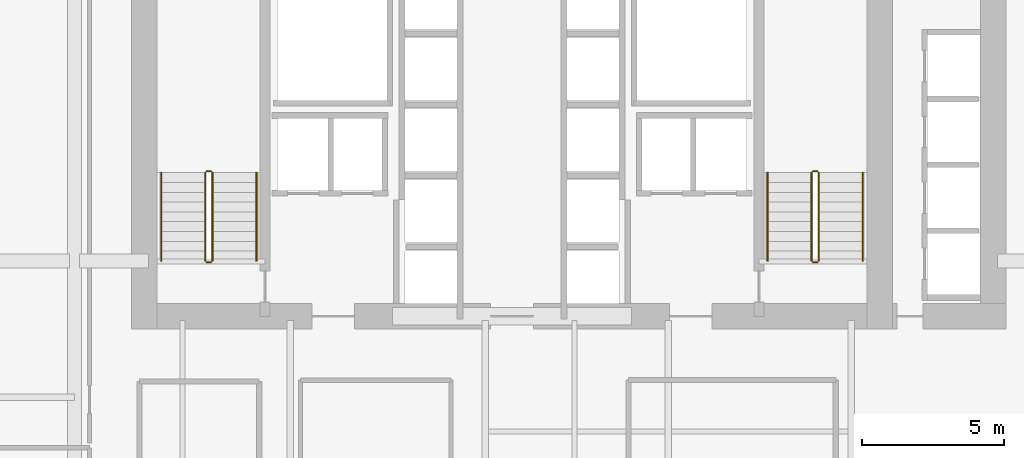
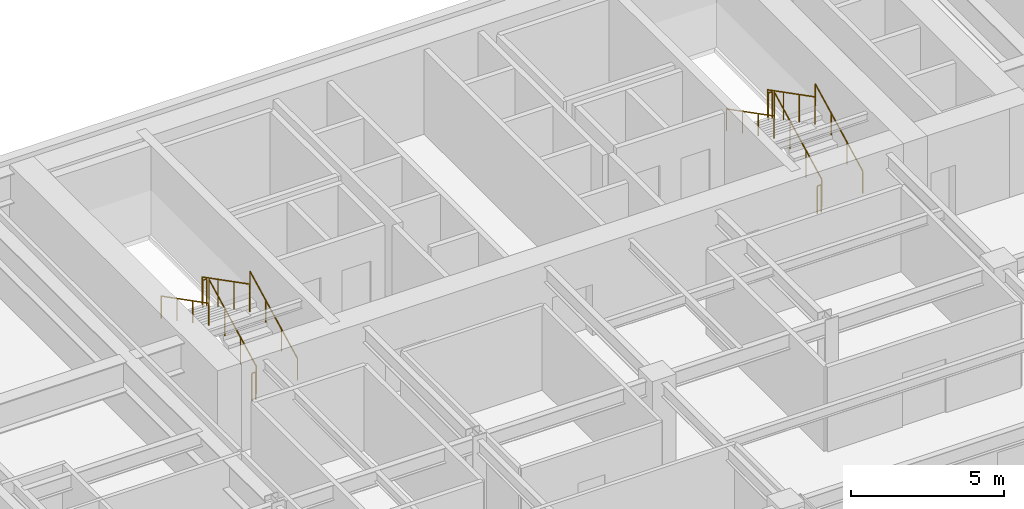
# One storey, part 16 of 16: 12 railings.
"""IFC4 building model written with IfcOpenShell, lengths in metres."""

from ifc_helpers import new_model, si_unit, direction, frame, origin, origin_2d, place, context, subcontext, project, spatial, circle, extrude, material, type_object, element, save


model = new_model("IFC4")

# Units and contexts
model_context = context("Model", 3, precision=1e-05, world=origin(), true_north=direction((0.0, 1.0)))
body_context = subcontext(model_context, "Body", "Model", "MODEL_VIEW")
ifc_project = project(units=[si_unit("LENGTHUNIT", "METRE"), si_unit("AREAUNIT", "SQUARE_METRE"), si_unit("VOLUMEUNIT", "CUBIC_METRE"), si_unit("PLANEANGLEUNIT", "RADIAN"), si_unit("MASSUNIT", "GRAM", prefix="KILO")], contexts=[model_context])

# Site, building, storey
site_placement = place(None, origin())
site = spatial("IfcSite", under=ifc_project, at=site_placement, CompositionType="ELEMENT")
building_placement = place(site_placement, origin())
building = spatial("IfcBuilding", under=site, at=building_placement, Name="Tolvann Quenvar Hotel", CompositionType="ELEMENT")
storey_placement = place(building_placement, frame((0.0, 0.0, 85.25)))
storey = spatial("IfcBuildingStorey", under=building, at=storey_placement, Name="L21", CompositionType="ELEMENT", Elevation=85.25)

# Railings
ifc_material = material(Name="Brushed 316 stainless steel balustrade and handrail", Category="steel")
railing_type_1 = type_object("IfcRailingType", Name="GUARDRAIL", PredefinedType="GUARDRAIL", material=ifc_material)
railing_1_placement = place(storey_placement, frame((12.449951171875, 34.0, 0.177490234375)))
element("IfcRailing", 1, at=railing_1_placement, inside=storey, type_object=railing_type_1, Name="L21 ST-C1 stair guard 1", PredefinedType="GUARDRAIL", context=body_context, shape_type="SweptSolid", body=[
    extrude(circle(Radius=0.02392578125, at=origin_2d()), frame((0.0, 0.0, 1.09619140625), z_axis=(0.0, 0.889221982265, 0.45747597342), x_axis=(-1.0, 0.0, 0.0)), (0.0, 0.0, 1.0), 3.49169921875),
    extrude(circle(Radius=0.02099609375, at=origin_2d()), origin(), (0.0, 0.0, 1.0), 1.072021484375),
    extrude(circle(Radius=0.02099609375, at=origin_2d()), frame((0.0, 1.034912109375, 0.532470703125)), (0.0, 0.0, 1.0), 1.072021484375),
    extrude(circle(Radius=0.02099609375, at=origin_2d()), frame((0.0, 2.070068359375, 1.06494140625)), (0.0, 0.0, 1.0), 1.072021484375),
    extrude(circle(Radius=0.02099609375, at=origin_2d()), frame((0.0, 3.10498046875, 1.597412109375)), (0.0, 0.0, 1.0), 1.072021484375),
])
railing_2_placement = place(storey_placement, frame((12.39990234375, 37.155029296875, 1.77490234375)))
element("IfcRailing", 2, at=railing_2_placement, inside=storey, type_object=railing_type_1, Name="L21 ST-C1 stair guard 2", PredefinedType="GUARDRAIL", context=body_context, shape_type="SweptSolid", body=[
    extrude(circle(Radius=0.02392578125, at=origin_2d()), frame((0.0, 0.0, 1.09619140625), z_axis=(-1.0, 0.0, 0.0), x_axis=(0.0, -1.0, 0.0)), (0.0, 0.0, 1.0), 0.14990234375),
    extrude(circle(Radius=0.02099609375, at=origin_2d()), origin(), (0.0, 0.0, 1.0), 1.072021484375),
    extrude(circle(Radius=0.02099609375, at=origin_2d()), frame((-0.14990234375, 0.0, 0.0)), (0.0, 0.0, 1.0), 1.072021484375),
])
railing_3_placement = place(storey_placement, frame((12.199951171875, 37.10498046875, 1.952392578125)))
element("IfcRailing", 3, at=railing_3_placement, inside=storey, type_object=railing_type_1, Name="L21 ST-C1 stair guard 3", PredefinedType="GUARDRAIL", context=body_context, shape_type="SweptSolid", body=[
    extrude(circle(Radius=0.02392578125, at=origin_2d()), frame((0.0, 0.0, 1.09619140625), z_axis=(0.0, -0.88919353882, 0.457531256332), x_axis=(1.0, 0.0, 0.0)), (0.0, 0.0, 1.0), 3.491943359375),
    extrude(circle(Radius=0.02099609375, at=origin_2d()), origin(), (0.0, 0.0, 1.0), 1.072021484375),
    extrude(circle(Radius=0.02099609375, at=origin_2d()), frame((0.0, -1.034912109375, 0.532470703125)), (0.0, 0.0, 1.0), 1.072021484375),
    extrude(circle(Radius=0.02099609375, at=origin_2d()), frame((0.0, -2.070068359375, 1.065185546875)), (0.0, 0.0, 1.0), 1.072021484375),
    extrude(circle(Radius=0.02099609375, at=origin_2d()), frame((0.0, -3.10498046875, 1.59765625)), (0.0, 0.0, 1.0), 1.072021484375),
])
railing_4_placement = place(storey_placement, frame((12.39990234375, 33.949951171875, 0.0)))
element("IfcRailing", 4, at=railing_4_placement, inside=storey, type_object=railing_type_1, Name="L21 ST-C1 stair guard 4", PredefinedType="GUARDRAIL", context=body_context, shape_type="SweptSolid", body=[
    extrude(circle(Radius=0.02392578125, at=origin_2d()), frame((0.0, 0.0, 1.09619140625), z_axis=(-1.0, 0.0, 0.0), x_axis=(0.0, -1.0, 0.0)), (0.0, 0.0, 1.0), 0.14990234375),
    extrude(circle(Radius=0.02099609375, at=origin_2d()), origin(), (0.0, 0.0, 1.0), 1.072021484375),
    extrude(circle(Radius=0.02099609375, at=origin_2d()), frame((-0.14990234375, 0.0, 0.0)), (0.0, 0.0, 1.0), 1.072021484375),
])
railing_5_placement = place(storey_placement, frame((33.800048828125, 34.0, 0.177490234375)))
element("IfcRailing", 5, at=railing_5_placement, inside=storey, type_object=railing_type_1, Name="L21 ST-C2 stair guard 1", PredefinedType="GUARDRAIL", context=body_context, shape_type="SweptSolid", body=[
    extrude(circle(Radius=0.02392578125, at=origin_2d()), frame((0.0, 0.0, 1.09619140625), z_axis=(0.0, 0.889221982265, 0.45747597342), x_axis=(-1.0, 0.0, 0.0)), (0.0, 0.0, 1.0), 3.49169921875),
    extrude(circle(Radius=0.02099609375, at=origin_2d()), origin(), (0.0, 0.0, 1.0), 1.072021484375),
    extrude(circle(Radius=0.02099609375, at=origin_2d()), frame((0.0, 1.034912109375, 0.532470703125)), (0.0, 0.0, 1.0), 1.072021484375),
    extrude(circle(Radius=0.02099609375, at=origin_2d()), frame((0.0, 2.070068359375, 1.06494140625)), (0.0, 0.0, 1.0), 1.072021484375),
    extrude(circle(Radius=0.02099609375, at=origin_2d()), frame((0.0, 3.10498046875, 1.597412109375)), (0.0, 0.0, 1.0), 1.072021484375),
])
railing_6_placement = place(storey_placement, frame((33.75, 37.155029296875, 1.77490234375)))
element("IfcRailing", 6, at=railing_6_placement, inside=storey, type_object=railing_type_1, Name="L21 ST-C2 stair guard 2", PredefinedType="GUARDRAIL", context=body_context, shape_type="SweptSolid", body=[
    extrude(circle(Radius=0.02392578125, at=origin_2d()), frame((0.0, 0.0, 1.09619140625), z_axis=(-1.0, 0.0, 0.0), x_axis=(0.0, -1.0, 0.0)), (0.0, 0.0, 1.0), 0.14990234375),
    extrude(circle(Radius=0.02099609375, at=origin_2d()), origin(), (0.0, 0.0, 1.0), 1.072021484375),
    extrude(circle(Radius=0.02099609375, at=origin_2d()), frame((-0.14990234375, 0.0, 0.0)), (0.0, 0.0, 1.0), 1.072021484375),
])
railing_7_placement = place(storey_placement, frame((33.550048828125, 37.10498046875, 1.952392578125)))
element("IfcRailing", 7, at=railing_7_placement, inside=storey, type_object=railing_type_1, Name="L21 ST-C2 stair guard 3", PredefinedType="GUARDRAIL", context=body_context, shape_type="SweptSolid", body=[
    extrude(circle(Radius=0.02392578125, at=origin_2d()), frame((0.0, 0.0, 1.09619140625), z_axis=(0.0, -0.88919353882, 0.457531256332), x_axis=(1.0, 0.0, 0.0)), (0.0, 0.0, 1.0), 3.491943359375),
    extrude(circle(Radius=0.02099609375, at=origin_2d()), origin(), (0.0, 0.0, 1.0), 1.072021484375),
    extrude(circle(Radius=0.02099609375, at=origin_2d()), frame((0.0, -1.034912109375, 0.532470703125)), (0.0, 0.0, 1.0), 1.072021484375),
    extrude(circle(Radius=0.02099609375, at=origin_2d()), frame((0.0, -2.070068359375, 1.065185546875)), (0.0, 0.0, 1.0), 1.072021484375),
    extrude(circle(Radius=0.02099609375, at=origin_2d()), frame((0.0, -3.10498046875, 1.59765625)), (0.0, 0.0, 1.0), 1.072021484375),
])
railing_8_placement = place(storey_placement, frame((33.75, 33.949951171875, 0.0)))
element("IfcRailing", 8, at=railing_8_placement, inside=storey, type_object=railing_type_1, Name="L21 ST-C2 stair guard 4", PredefinedType="GUARDRAIL", context=body_context, shape_type="SweptSolid", body=[
    extrude(circle(Radius=0.02392578125, at=origin_2d()), frame((0.0, 0.0, 1.09619140625), z_axis=(-1.0, 0.0, 0.0), x_axis=(0.0, -1.0, 0.0)), (0.0, 0.0, 1.0), 0.14990234375),
    extrude(circle(Radius=0.02099609375, at=origin_2d()), origin(), (0.0, 0.0, 1.0), 1.072021484375),
    extrude(circle(Radius=0.02099609375, at=origin_2d()), frame((-0.14990234375, 0.0, 0.0)), (0.0, 0.0, 1.0), 1.072021484375),
])
railing_type_2 = type_object("IfcRailingType", Name="HANDRAIL", PredefinedType="HANDRAIL", material=ifc_material)
railing_9_placement = place(storey_placement, frame((14.0, 34.0, 0.177490234375)))
element("IfcRailing", 9, at=railing_9_placement, inside=storey, type_object=railing_type_2, Name="L21 ST-C1 stair handrail 1", PredefinedType="HANDRAIL", context=body_context, shape_type="SweptSolid", body=[
    extrude(circle(Radius=0.02392578125, at=origin_2d()), frame((0.0, 0.0, 0.8759765625), z_axis=(0.0, 0.889221982265, 0.45747597342), x_axis=(-1.0, 0.0, 0.0)), (0.0, 0.0, 1.0), 3.49169921875),
    extrude(circle(Radius=0.02099609375, at=origin_2d()), origin(), (0.0, 0.0, 1.0), 0.851806640625),
    extrude(circle(Radius=0.02099609375, at=origin_2d()), frame((0.0, 1.034912109375, 0.532470703125)), (0.0, 0.0, 1.0), 0.851806640625),
    extrude(circle(Radius=0.02099609375, at=origin_2d()), frame((0.0, 2.070068359375, 1.06494140625)), (0.0, 0.0, 1.0), 0.851806640625),
    extrude(circle(Radius=0.02099609375, at=origin_2d()), frame((0.0, 3.10498046875, 1.597412109375)), (0.0, 0.0, 1.0), 0.851806640625),
])
railing_10_placement = place(storey_placement, frame((10.64990234375, 37.10498046875, 1.952392578125)))
element("IfcRailing", 10, at=railing_10_placement, inside=storey, type_object=railing_type_2, Name="L21 ST-C1 stair handrail 2", PredefinedType="HANDRAIL", context=body_context, shape_type="SweptSolid", body=[
    extrude(circle(Radius=0.02392578125, at=origin_2d()), frame((0.0, 0.0, 0.8759765625), z_axis=(0.0, -0.88919353882, 0.457531256332), x_axis=(1.0, 0.0, 0.0)), (0.0, 0.0, 1.0), 3.491943359375),
    extrude(circle(Radius=0.02099609375, at=origin_2d()), origin(), (0.0, 0.0, 1.0), 0.851806640625),
    extrude(circle(Radius=0.02099609375, at=origin_2d()), frame((0.0, -1.034912109375, 0.532470703125)), (0.0, 0.0, 1.0), 0.851806640625),
    extrude(circle(Radius=0.02099609375, at=origin_2d()), frame((0.0, -2.070068359375, 1.065185546875)), (0.0, 0.0, 1.0), 0.851806640625),
    extrude(circle(Radius=0.02099609375, at=origin_2d()), frame((0.0, -3.10498046875, 1.59765625)), (0.0, 0.0, 1.0), 0.851806640625),
])
railing_11_placement = place(storey_placement, frame((35.35009765625, 34.0, 0.177490234375)))
element("IfcRailing", 11, at=railing_11_placement, inside=storey, type_object=railing_type_2, Name="L21 ST-C2 stair handrail 1", PredefinedType="HANDRAIL", context=body_context, shape_type="SweptSolid", body=[
    extrude(circle(Radius=0.02392578125, at=origin_2d()), frame((0.0, 0.0, 0.8759765625), z_axis=(0.0, 0.889221982265, 0.45747597342), x_axis=(-1.0, 0.0, 0.0)), (0.0, 0.0, 1.0), 3.49169921875),
    extrude(circle(Radius=0.02099609375, at=origin_2d()), origin(), (0.0, 0.0, 1.0), 0.851806640625),
    extrude(circle(Radius=0.02099609375, at=origin_2d()), frame((0.0, 1.034912109375, 0.532470703125)), (0.0, 0.0, 1.0), 0.851806640625),
    extrude(circle(Radius=0.02099609375, at=origin_2d()), frame((0.0, 2.070068359375, 1.06494140625)), (0.0, 0.0, 1.0), 0.851806640625),
    extrude(circle(Radius=0.02099609375, at=origin_2d()), frame((0.0, 3.10498046875, 1.597412109375)), (0.0, 0.0, 1.0), 0.851806640625),
])
railing_12_placement = place(storey_placement, frame((32.0, 37.10498046875, 1.952392578125)))
element("IfcRailing", 12, at=railing_12_placement, inside=storey, type_object=railing_type_2, Name="L21 ST-C2 stair handrail 2", PredefinedType="HANDRAIL", context=body_context, shape_type="SweptSolid", body=[
    extrude(circle(Radius=0.02392578125, at=origin_2d()), frame((0.0, 0.0, 0.8759765625), z_axis=(0.0, -0.88919353882, 0.457531256332), x_axis=(1.0, 0.0, 0.0)), (0.0, 0.0, 1.0), 3.491943359375),
    extrude(circle(Radius=0.02099609375, at=origin_2d()), origin(), (0.0, 0.0, 1.0), 0.851806640625),
    extrude(circle(Radius=0.02099609375, at=origin_2d()), frame((0.0, -1.034912109375, 0.532470703125)), (0.0, 0.0, 1.0), 0.851806640625),
    extrude(circle(Radius=0.02099609375, at=origin_2d()), frame((0.0, -2.070068359375, 1.065185546875)), (0.0, 0.0, 1.0), 0.851806640625),
    extrude(circle(Radius=0.02099609375, at=origin_2d()), frame((0.0, -3.10498046875, 1.59765625)), (0.0, 0.0, 1.0), 0.851806640625),
])

save(model, "model.ifc")
